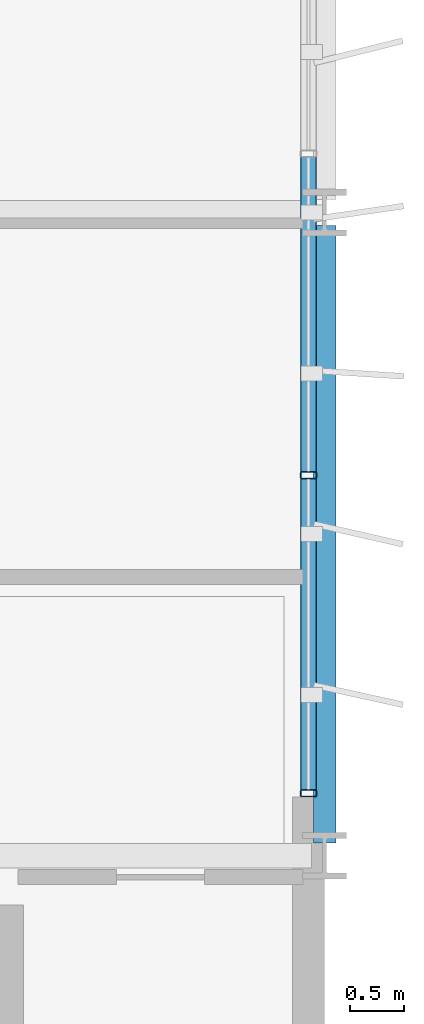
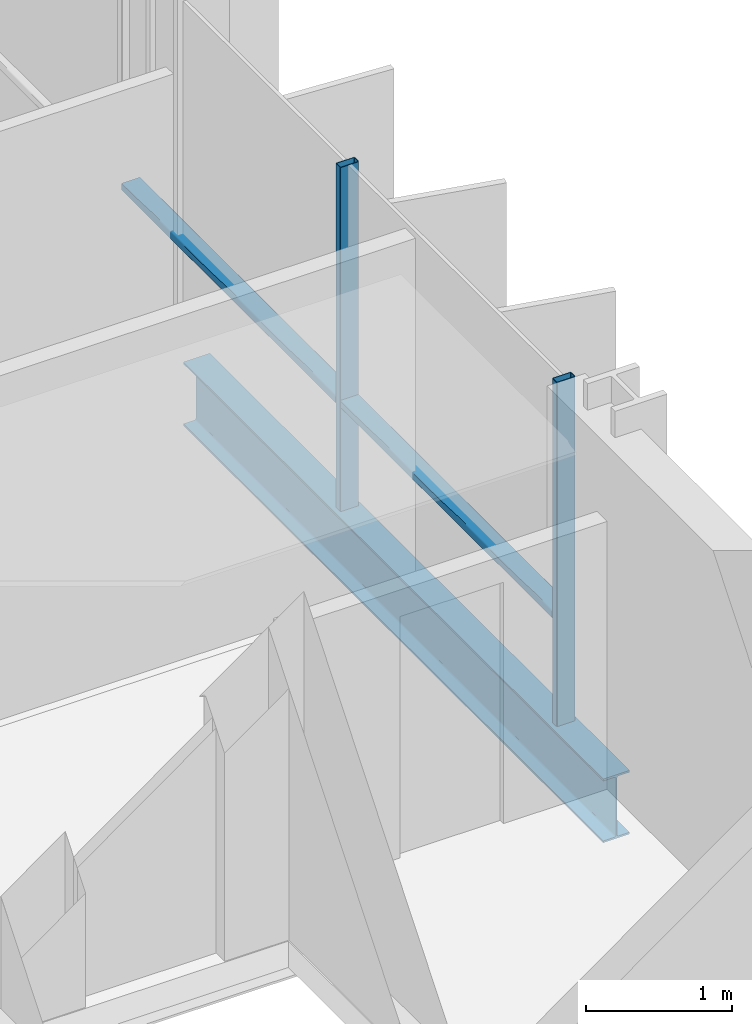
# One storey, part 15 of 38: 4 members, 1 beam, 1 element without a shape of its own.
"""IFC4 building model written with IfcOpenShell, lengths in metres."""

from ifc_helpers import new_model, si_unit, direction, frame, origin, origin_2d, place, context, subcontext, project, spatial, hollow_rectangle, i_section, extrude, material, layer, layer_set, material_profile, profile_set, type_object, element, aggregate, save


model = new_model("IFC4")

# Units and contexts
model_context = context("Model", 3, precision=1e-05, world=origin(), true_north=direction((0.0, 1.0)))
body_context = subcontext(model_context, "Body", "Model", "MODEL_VIEW")
ifc_project = project(units=[si_unit("LENGTHUNIT", "METRE"), si_unit("AREAUNIT", "SQUARE_METRE"), si_unit("VOLUMEUNIT", "CUBIC_METRE"), si_unit("PLANEANGLEUNIT", "RADIAN"), si_unit("MASSUNIT", "GRAM", prefix="KILO")], contexts=[model_context])

# Site, building, storey
site_placement = place(None, origin())
site = spatial("IfcSite", under=ifc_project, at=site_placement, CompositionType="ELEMENT")
building_placement = place(site_placement, origin())
building = spatial("IfcBuilding", under=site, at=building_placement, Name="Brevholm Reach", CompositionType="ELEMENT")
storey_placement = place(building_placement, frame((0.0, 0.0, 128.300048828125)))
storey = spatial("IfcBuildingStorey", under=building, at=storey_placement, Name="L38", CompositionType="ELEMENT", Elevation=128.300048828125)

# Beam
ifc_material_1 = material(Name="Structural Steel S355J2", Category="steel")
ifc_material_profile_1 = material_profile(ifc_material_1, i_section(OverallWidth=0.209228515625, OverallDepth=0.533203125, WebThickness=0.010009765625, FlangeThickness=0.015625, FilletRadius=0.0126953125, at=origin_2d()), Name="UKB 533x210x92")
ifc_profile_set_1 = profile_set([ifc_material_profile_1], Name="Structural Steel S355J2")
beam_type = type_object("IfcBeamType", Name="BM-SP533", PredefinedType="SPANDREL", material=ifc_profile_set_1)
beam_placement = place(storey_placement, frame((60.0, 10.1201171875, -0.486572265625), z_axis=(0.0, 1.0, 0.0), x_axis=(-1.0, 0.0, 0.0)))
element("IfcBeam", 1, at=beam_placement, inside=storey, type_object=beam_type, Name="L38 SP-02 Framing Beam", PredefinedType="SPANDREL", context=body_context, shape_type="SweptSolid", body=[
    extrude(i_section(OverallWidth=0.209228515625, OverallDepth=0.533203125, WebThickness=0.010009765625, FlangeThickness=0.015625, FilletRadius=0.0126953125, at=origin_2d()), origin(), (0.0, 0.0, 1.0), 5.759765625),
])

# Curtain wall, members
ifc_material_2 = material(Name="Dark Anodised Aluminium 6063-T6 and Solar-Control Glass", Category="aluminium")
ifc_layer = layer(ifc_material_2, 0.14990234375)
ifc_layer_set = layer_set([ifc_layer], Name="Dark Anodised Aluminium 6063-T6 and Solar-Control Glass")
curtain_wall_type = type_object("IfcCurtainWallType", Name="CW-01", PredefinedType="NOTDEFINED", material=ifc_layer_set)
curtain_wall_placement = place(storey_placement, origin())
curtain_wall = element("IfcCurtainWall", 2, at=curtain_wall_placement, inside=storey, type_object=curtain_wall_type, Name="L38 Curtain Wall CW-01", PredefinedType="NOTDEFINED")
ifc_material_3 = material(Name="Dark Anodised Aluminium 6063-T6", Category="aluminium")
ifc_material_profile_2 = material_profile(ifc_material_3, hollow_rectangle(XDim=0.06494140625, YDim=0.14990234375, WallThickness=0.0048828125, InnerFilletRadius=0.0048828125, OuterFilletRadius=0.010009765625, at=origin_2d()), Name="RHS 150x65x5")
ifc_profile_set_2 = profile_set([ifc_material_profile_2], Name="Dark Anodised Aluminium 6063-T6")
member_type_1 = type_object("IfcMemberType", Name="CWM-150", PredefinedType="MULLION", material=ifc_profile_set_2)
member_1_placement = place(storey_placement, frame((59.85009765625, 10.58251953125, 0.0), z_axis=(0.0, 0.0, 1.0), x_axis=(0.0, 1.0, 0.0)))
member_1 = element("IfcMember", 3, at=member_1_placement, type_object=member_type_1, Name="CM-150 Mullion 1", PredefinedType="MULLION", context=body_context, shape_type="SweptSolid", body=[
    extrude(hollow_rectangle(XDim=0.06494140625, YDim=0.14990234375, WallThickness=0.0048828125, InnerFilletRadius=0.0048828125, OuterFilletRadius=0.010009765625, at=origin_2d()), origin(), (0.0, 0.0, 1.0), 2.8798828125),
])
member_2_placement = place(storey_placement, frame((59.85009765625, 13.550048828125, 0.0), z_axis=(0.0, 0.0, 1.0), x_axis=(0.0, 1.0, 0.0)))
member_2 = element("IfcMember", 4, at=member_2_placement, type_object=member_type_1, Name="CM-150 Mullion 2", PredefinedType="MULLION", context=body_context, shape_type="SweptSolid", body=[
    extrude(hollow_rectangle(XDim=0.06494140625, YDim=0.14990234375, WallThickness=0.0048828125, InnerFilletRadius=0.0048828125, OuterFilletRadius=0.010009765625, at=origin_2d()), origin(), (0.0, 0.0, 1.0), 2.8798828125),
])
ifc_material_4 = material(Name="Dark Anodised Aluminium 6063-T6", Category="aluminium")
ifc_material_profile_3 = material_profile(ifc_material_4, hollow_rectangle(XDim=0.06494140625, YDim=0.14990234375, WallThickness=0.0048828125, InnerFilletRadius=0.0048828125, OuterFilletRadius=0.010009765625, at=origin_2d()), Name="RHS 150x65x5")
ifc_profile_set_3 = profile_set([ifc_material_profile_3], Name="Dark Anodised Aluminium 6063-T6")
member_type_2 = type_object("IfcMemberType", Name="CWT-150", PredefinedType="NOTDEFINED", material=ifc_profile_set_3)
member_3_placement = place(storey_placement, frame((59.85009765625, 10.614990234375, 0.89990234375), z_axis=(0.0, 1.0, 0.0), x_axis=(0.0, 0.0, 1.0)))
member_3 = element("IfcMember", 5, at=member_3_placement, type_object=member_type_2, Name="CT-150 Transom 1.1", ObjectType="TRANSOM", PredefinedType="USERDEFINED", context=body_context, shape_type="SweptSolid", body=[
    extrude(hollow_rectangle(XDim=0.06494140625, YDim=0.14990234375, WallThickness=0.0048828125, InnerFilletRadius=0.0048828125, OuterFilletRadius=0.010009765625, at=origin_2d()), origin(), (0.0, 0.0, 1.0), 2.902587890625),
])
member_4_placement = place(storey_placement, frame((59.85009765625, 13.58251953125, 0.89990234375), z_axis=(0.0, 1.0, 0.0), x_axis=(0.0, 0.0, 1.0)))
member_4 = element("IfcMember", 6, at=member_4_placement, type_object=member_type_2, Name="CT-150 Transom 2.1", ObjectType="TRANSOM", PredefinedType="USERDEFINED", context=body_context, shape_type="SweptSolid", body=[
    extrude(hollow_rectangle(XDim=0.06494140625, YDim=0.14990234375, WallThickness=0.0048828125, InnerFilletRadius=0.0048828125, OuterFilletRadius=0.010009765625, at=origin_2d()), origin(), (0.0, 0.0, 1.0), 2.93505859375),
])
aggregate(curtain_wall, [member_1, member_2, member_3, member_4])

save(model, "model.ifc")
